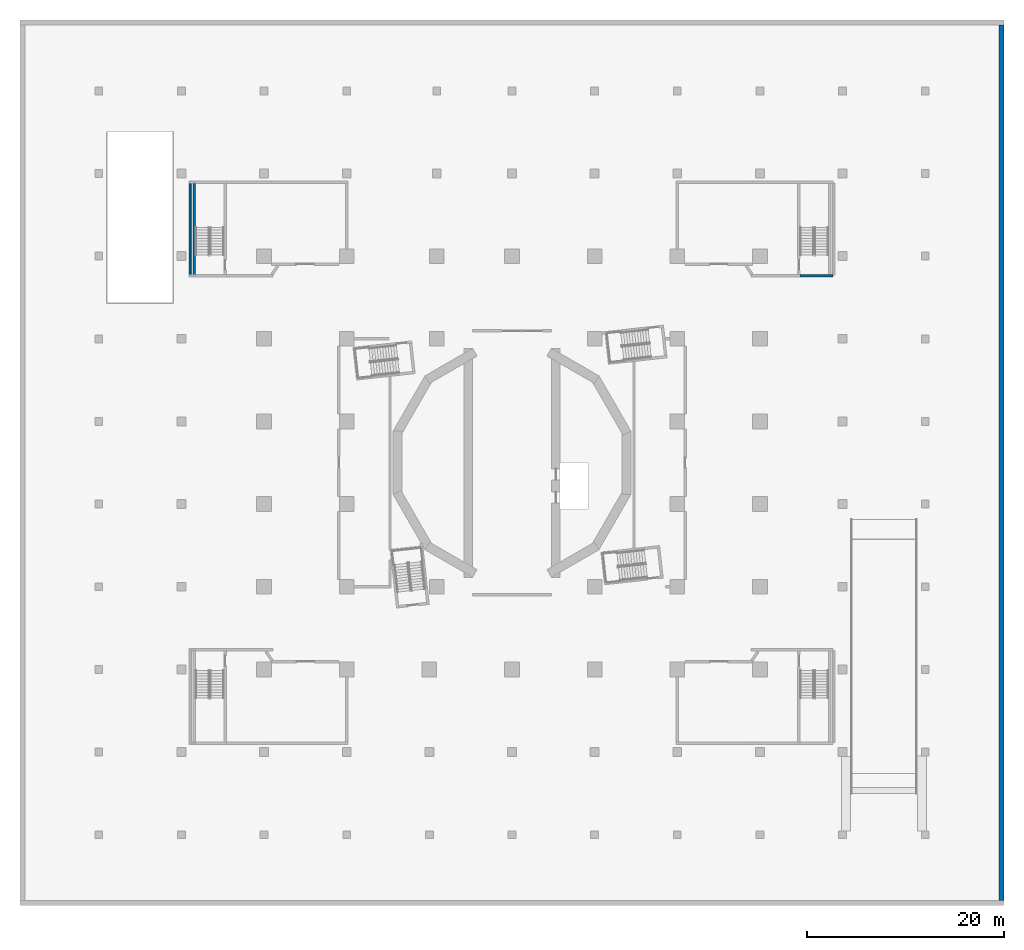
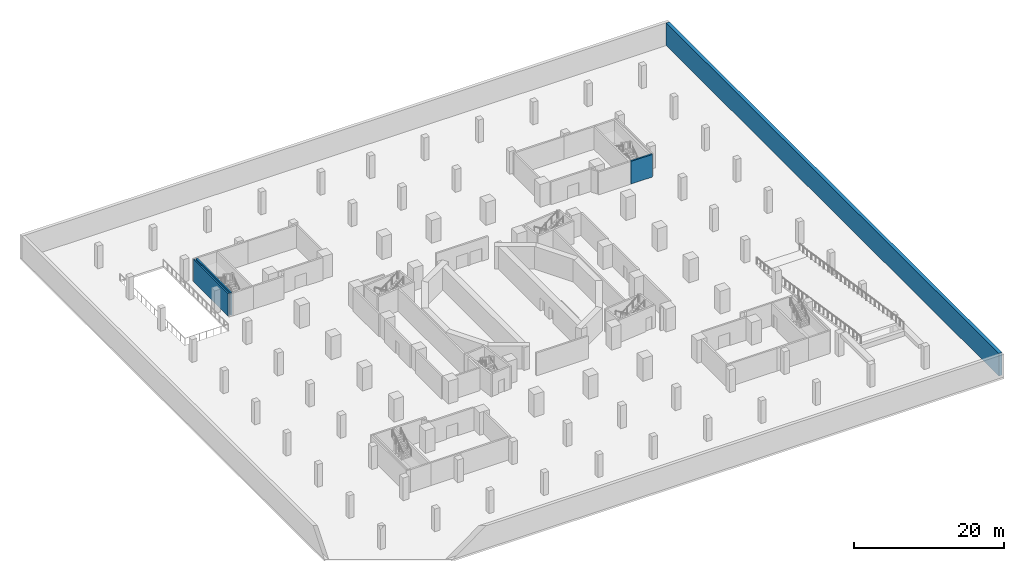
# One storey, part 7 of 18: 4 walls.
"""IFC4 building model written with IfcOpenShell, lengths in metres."""

from ifc_helpers import new_model, si_unit, direction, frame, frame_2d, origin, place, context, subcontext, project, spatial, rectangle, extrude, material, layer, layer_set, type_object, element, save


model = new_model("IFC4")

# Units and contexts
model_context = context("Model", 3, precision=1e-05, world=origin(), true_north=direction((0.0, 1.0)))
body_context = subcontext(model_context, "Body", "Model", "MODEL_VIEW")
ifc_project = project(units=[si_unit("LENGTHUNIT", "METRE"), si_unit("AREAUNIT", "SQUARE_METRE"), si_unit("VOLUMEUNIT", "CUBIC_METRE"), si_unit("PLANEANGLEUNIT", "RADIAN"), si_unit("MASSUNIT", "GRAM", prefix="KILO")], contexts=[model_context])

# Site, building, storey
site_placement = place(None, origin())
site = spatial("IfcSite", under=ifc_project, at=site_placement, CompositionType="ELEMENT")
building_placement = place(site_placement, origin())
building = spatial("IfcBuilding", under=site, at=building_placement, Name="Cantera Rosa Tower", CompositionType="ELEMENT")
storey_placement = place(building_placement, frame((0.0, 0.0, -9.0)))
storey = spatial("IfcBuildingStorey", under=building, at=storey_placement, Name="B2", CompositionType="ELEMENT", Elevation=-9.0)

# Walls
ifc_material_1 = material(Name="Masonry blockwork", Category="masonry")
ifc_layer_1 = layer(ifc_material_1, 0.199951171875)
ifc_layer_set_1 = layer_set([ifc_layer_1], Name="Blockwork partition 200")
wall_type_1 = type_object("IfcWallType", Name="Blockwork partition 200", PredefinedType="PARTITIONING", material=ifc_layer_set_1)
wall_1_placement = place(storey_placement, frame((-32.699951171875, 19.10009765625, 0.0), z_axis=(0.0, 0.0, 1.0), x_axis=(0.0, 1.0, 0.0)))
element("IfcWall", 1, at=wall_1_placement, inside=storey, type_object=wall_type_1, Name="Partition B2-45", PredefinedType="PARTITIONING", context=body_context, shape_type="SweptSolid", body=[
    extrude(rectangle(XDim=9.2998046875, YDim=0.199951171875, at=frame_2d((4.64990234375, 0.0))), origin(), (0.0, 0.0, 1.0), 3.699951171875),
])
ifc_material_2 = material(Name="Concrete C50/60", Category="concrete")
ifc_layer_2 = layer(ifc_material_2, 0.25)
ifc_layer_set_2 = layer_set([ifc_layer_2], Name="External stair wall 250")
wall_type_2 = type_object("IfcWallType", Name="External stair wall 250", PredefinedType="SOLIDWALL", material=ifc_layer_set_2)
wall_2_placement = place(storey_placement, frame((32.60009765625, 19.0, 0.0), z_axis=(0.0, 0.0, 1.0), x_axis=(-1.0, 0.0, 0.0)))
element("IfcWall", 2, at=wall_2_placement, inside=storey, type_object=wall_type_2, Name="Stair wall B2-31", PredefinedType="SOLIDWALL", context=body_context, shape_type="SweptSolid", body=[
    extrude(rectangle(XDim=3.3251953125, YDim=0.25, at=frame_2d((1.66259765625, 0.0))), origin(), (0.0, 0.0, 1.0), 3.699951171875),
])
ifc_material_3 = material(Name="Concrete C50/60", Category="concrete")
ifc_layer_3 = layer(ifc_material_3, 0.25)
ifc_layer_set_3 = layer_set([ifc_layer_3], Name="RC stair wall 250 C50/60")
wall_type_3 = type_object("IfcWallType", Name="RC stair wall 250", PredefinedType="SOLIDWALL", material=ifc_layer_set_3)
wall_3_placement = place(storey_placement, frame((-32.300048828125, 19.10009765625, 0.0), z_axis=(0.0, 0.0, 1.0), x_axis=(0.0, 1.0, 0.0)))
element("IfcWall", 3, at=wall_3_placement, inside=storey, type_object=wall_type_3, Name="Stair wall B2-43", PredefinedType="SOLIDWALL", context=body_context, shape_type="SweptSolid", body=[
    extrude(rectangle(XDim=9.2998046875, YDim=0.25, at=frame_2d((4.64990234375, 0.0))), origin(), (0.0, 0.0, 1.0), 3.699951171875),
])
ifc_material_4 = material(Name="Concrete C40/50", Category="concrete")
ifc_layer_4 = layer(ifc_material_4, 0.5)
ifc_layer_set_4 = layer_set([ifc_layer_4], Name="Retaining wall 500")
wall_type_4 = type_object("IfcWallType", Name="Retaining wall 500", PredefinedType="SOLIDWALL", material=ifc_layer_set_4)
wall_4_placement = place(storey_placement, frame((49.75, -44.5, 0.0), z_axis=(0.0, 0.0, 1.0), x_axis=(0.0, 1.0, 0.0)))
element("IfcWall", 4, at=wall_4_placement, inside=storey, type_object=wall_type_4, Name="Retaining wall E B2", PredefinedType="SOLIDWALL", context=body_context, shape_type="SweptSolid", body=[
    extrude(rectangle(XDim=89.0, YDim=0.5, at=frame_2d((44.5, 0.0))), origin(), (0.0, 0.0, 1.0), 3.699951171875),
])

save(model, "model.ifc")
